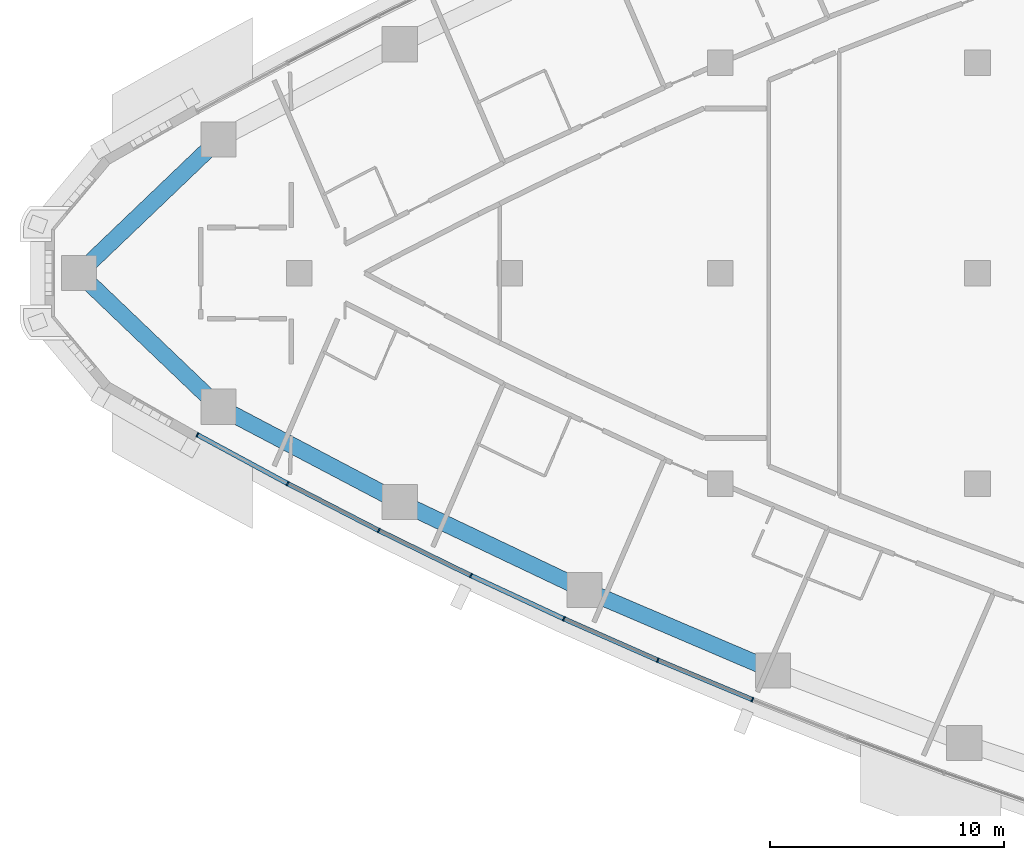
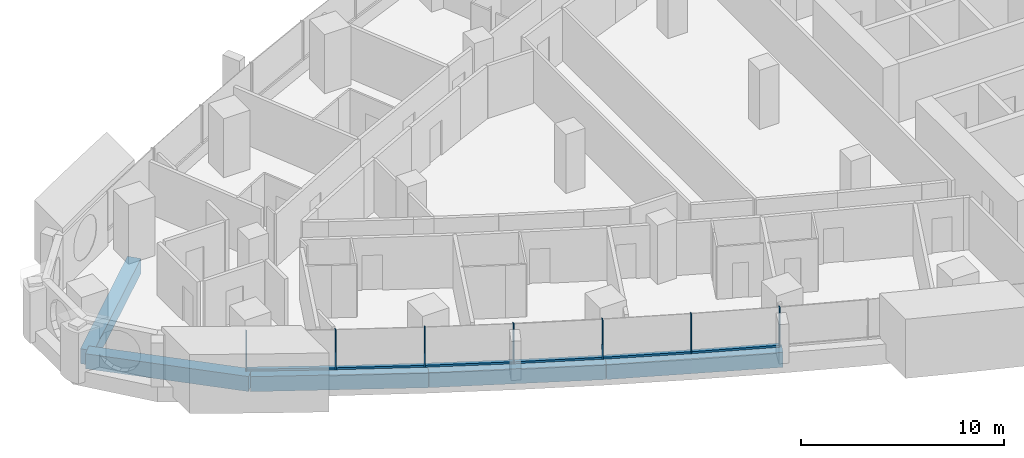
# One storey, part 2 of 17: 13 members, 5 beams, 3 elements without a shape of their own.
"""IFC4 building model written with IfcOpenShell, lengths in metres."""

from ifc_helpers import new_model, si_unit, direction, frame, origin, origin_2d, place, context, subcontext, project, spatial, rectangle, extrude, material, layer, layer_set, material_profile, profile_set, type_object, element, aggregate, save


model = new_model("IFC4")

# Units and contexts
model_context = context("Model", 3, precision=1e-05, world=origin(), true_north=direction((0.0, 1.0)))
body_context = subcontext(model_context, "Body", "Model", "MODEL_VIEW")
ifc_project = project(units=[si_unit("LENGTHUNIT", "METRE"), si_unit("AREAUNIT", "SQUARE_METRE"), si_unit("VOLUMEUNIT", "CUBIC_METRE"), si_unit("PLANEANGLEUNIT", "RADIAN"), si_unit("MASSUNIT", "GRAM", prefix="KILO")], contexts=[model_context])

# Site, building, storey
site_placement = place(None, origin())
site = spatial("IfcSite", under=ifc_project, at=site_placement, CompositionType="ELEMENT")
building_placement = place(site_placement, origin())
building = spatial("IfcBuilding", under=site, at=building_placement, Name="Ostrand Prow Hotel Tower", CompositionType="ELEMENT")
storey_placement = place(building_placement, frame((0.0, 0.0, 162.14990234375)))
storey = spatial("IfcBuildingStorey", under=building, at=storey_placement, Name="L40", CompositionType="ELEMENT", Elevation=162.14990234375)

# Beams
ifc_material_1 = material(Name="Concrete C70/85", Category="concrete")
ifc_material_profile_1 = material_profile(ifc_material_1, rectangle(XDim=0.699951171875, YDim=0.89990234375, at=origin_2d()), Name="RC 700x900")
ifc_profile_set_1 = profile_set([ifc_material_profile_1], Name="Concrete C70/85")
beam_type = type_object("IfcBeamType", Name="Edge beam 700x900 C70/85", PredefinedType="SPANDREL", material=ifc_profile_set_1)
beam_1_placement = place(storey_placement, frame((6.580078125, 0.0, -0.75), z_axis=(0.722689968521, -0.691172344209, 0.0), x_axis=(0.691172344209, 0.722689968521, 0.0)))
element("IfcBeam", 1, at=beam_1_placement, inside=storey, type_object=beam_type, Name="Edge beam P-S1", PredefinedType="SPANDREL", context=body_context, shape_type="SweptSolid", body=[
    extrude(rectangle(XDim=0.699951171875, YDim=0.89990234375, at=origin_2d()), origin(), (0.0, 0.0, 1.0), 8.26513671875),
])
for number, where, z_axis, x_axis, name in (
    (2, (12.55322265625, -5.712646484375, -0.75), (0.885016215308, -0.465560198731, 0.0), (0.465560198731, 0.885016215308, 0.0), "Edge beam S1-S2"),
    (3, (20.300048828125, -9.787841796875, -0.75), (0.903083113352, -0.429465819803, 0.0), (0.429465819803, 0.903083113352, 0.0), "Edge beam S2-S3"),
    (4, (28.205078125, -13.547119140625, -0.75), (0.919700966994, -0.392619575811, 0.0), (0.392619575811, 0.919700966994, 0.0), "Edge beam S3-S4"),
):
    element("IfcBeam", number, at=place(storey_placement, frame(where, z_axis=z_axis, x_axis=x_axis)), inside=storey, type_object=beam_type, Name=name, PredefinedType="SPANDREL", context=body_context, shape_type="SweptSolid", body=[
        extrude(rectangle(XDim=0.699951171875, YDim=0.89990234375, at=origin_2d()), origin(), (0.0, 0.0, 1.0), 8.75341796875),
    ])
beam_2_placement = place(storey_placement, frame((12.55322265625, 5.712646484375, -0.75), z_axis=(-0.722689968521, -0.691172344209, 0.0), x_axis=(0.691172344209, -0.722689968521, 0.0)))
element("IfcBeam", 5, at=beam_2_placement, inside=storey, type_object=beam_type, Name="Edge beam N6-P", PredefinedType="SPANDREL", context=body_context, shape_type="SweptSolid", body=[
    extrude(rectangle(XDim=0.699951171875, YDim=0.89990234375, at=origin_2d()), origin(), (0.0, 0.0, 1.0), 8.26513671875),
])

# Curtain wall, members
ifc_material_2 = material(Name="Insulated glass in bronze anodised frame", Category="glass")
ifc_layer = layer(ifc_material_2, 0.199951171875)
ifc_layer_set = layer_set([ifc_layer], Name="Insulated glass in bronze anodised frame")
curtain_wall_type = type_object("IfcCurtainWallType", Name="Strip curtain wall, fritted glass over bronze spandrel", PredefinedType="NOTDEFINED", material=ifc_layer_set)
curtain_wall_1_placement = place(storey_placement, origin())
curtain_wall_1 = element("IfcCurtainWall", 6, at=curtain_wall_1_placement, inside=storey, type_object=curtain_wall_type, Name="CW1 run CWS1", PredefinedType="NOTDEFINED")
ifc_material_3 = material(Name="Bronze anodised aluminium", Category="aluminium")
ifc_material_profile_2 = material_profile(ifc_material_3, rectangle(XDim=0.199951171875, YDim=0.06005859375, at=origin_2d()), Name="Mullion 60x200 bronze anodised aluminium")
ifc_profile_set_2 = profile_set([ifc_material_profile_2], Name="Bronze anodised aluminium")
member_type_1 = type_object("IfcMemberType", Name="Mullion 60x200 bronze anodised aluminium", PredefinedType="MULLION", material=ifc_profile_set_2)
member_1_placement = place(storey_placement, frame((11.64306640625, -6.909423828125, 0.900146484375), z_axis=(0.0, 0.0, 1.0), x_axis=(0.475393901316, 0.879773060847, 0.0)))
member_1 = element("IfcMember", 7, at=member_1_placement, type_object=member_type_1, Name="CW1 mullion 1", PredefinedType="MULLION", context=body_context, shape_type="SweptSolid", body=[
    extrude(rectangle(XDim=0.199951171875, YDim=0.06005859375, at=origin_2d()), origin(), (0.0, 0.0, 1.0), 2.349853515625),
])
member_2_placement = place(storey_placement, frame((15.501708984375, -8.99462890625, 0.900146484375), z_axis=(0.0, 0.0, 1.0), x_axis=(0.457619429434, 0.889148164146, 0.0)))
member_2 = element("IfcMember", 8, at=member_2_placement, type_object=member_type_1, Name="CW1 mullion 2", PredefinedType="MULLION", context=body_context, shape_type="SweptSolid", body=[
    extrude(rectangle(XDim=0.199951171875, YDim=0.06005859375, at=origin_2d()), origin(), (0.0, 0.0, 1.0), 2.349853515625),
])
member_3_placement = place(storey_placement, frame((19.401611328125, -11.001708984375, 0.900146484375), z_axis=(0.0, 0.0, 1.0), x_axis=(0.457619429434, 0.889148164146, 0.0)))
member_3 = element("IfcMember", 9, at=member_3_placement, type_object=member_type_1, Name="CW1 mullion 3", PredefinedType="MULLION", context=body_context, shape_type="SweptSolid", body=[
    extrude(rectangle(XDim=0.199951171875, YDim=0.06005859375, at=origin_2d()), origin(), (0.0, 0.0, 1.0), 2.349853515625),
])

curtain_wall_2_placement = place(storey_placement, origin())
curtain_wall_2 = element("IfcCurtainWall", 10, at=curtain_wall_2_placement, inside=storey, type_object=curtain_wall_type, Name="CW1 run CWS2", PredefinedType="NOTDEFINED")
member_4_placement = place(storey_placement, frame((23.341064453125, -12.93017578125, 0.900146484375), z_axis=(0.0, 0.0, 1.0), x_axis=(0.421521761673, 0.906818286337, 0.0)))
member_4 = element("IfcMember", 11, at=member_4_placement, type_object=member_type_1, Name="CW1 mullion 2", PredefinedType="MULLION", context=body_context, shape_type="SweptSolid", body=[
    extrude(rectangle(XDim=0.199951171875, YDim=0.06005859375, at=origin_2d()), origin(), (0.0, 0.0, 1.0), 2.349853515625),
])
member_5_placement = place(storey_placement, frame((27.318359375, -14.77880859375, 0.900146484375), z_axis=(0.0, 0.0, 1.0), x_axis=(0.421521761673, 0.906818286337, 0.0)))
member_5 = element("IfcMember", 12, at=member_5_placement, type_object=member_type_1, Name="CW1 mullion 3", PredefinedType="MULLION", context=body_context, shape_type="SweptSolid", body=[
    extrude(rectangle(XDim=0.199951171875, YDim=0.06005859375, at=origin_2d()), origin(), (0.0, 0.0, 1.0), 2.349853515625),
])

curtain_wall_3_placement = place(storey_placement, origin())
curtain_wall_3 = element("IfcCurtainWall", 13, at=curtain_wall_3_placement, inside=storey, type_object=curtain_wall_type, Name="CW1 run CWS3", PredefinedType="NOTDEFINED")
member_6_placement = place(storey_placement, frame((31.332275390625, -16.54736328125, 0.900146484375), z_axis=(0.0, 0.0, 1.0), x_axis=(0.384743220418, 0.92302364777, 0.0)))
member_6 = element("IfcMember", 14, at=member_6_placement, type_object=member_type_1, Name="CW1 mullion 2", PredefinedType="MULLION", context=body_context, shape_type="SweptSolid", body=[
    extrude(rectangle(XDim=0.199951171875, YDim=0.06005859375, at=origin_2d()), origin(), (0.0, 0.0, 1.0), 2.349853515625),
])
member_7_placement = place(storey_placement, frame((35.380615234375, -18.235107421875, 0.900146484375), z_axis=(0.0, 0.0, 1.0), x_axis=(0.384743220418, 0.92302364777, 0.0)))
member_7 = element("IfcMember", 15, at=member_7_placement, type_object=member_type_1, Name="CW1 mullion 3", PredefinedType="MULLION", context=body_context, shape_type="SweptSolid", body=[
    extrude(rectangle(XDim=0.199951171875, YDim=0.06005859375, at=origin_2d()), origin(), (0.0, 0.0, 1.0), 2.349853515625),
])

# Member
ifc_material_4 = material(Name="Bronze anodised aluminium", Category="aluminium")
ifc_material_profile_3 = material_profile(ifc_material_4, rectangle(XDim=0.199951171875, YDim=0.1201171875, at=origin_2d()), Name="Transom 120x200 bronze anodised aluminium")
ifc_profile_set_3 = profile_set([ifc_material_profile_3], Name="Bronze anodised aluminium")
member_type_2 = type_object("IfcMemberType", Name="Transom 120x200 bronze anodised aluminium", PredefinedType="USERDEFINED", material=ifc_profile_set_3)
member_8_placement = place(storey_placement, frame((11.66943359375, -6.923583984375, 0.960205078125), z_axis=(0.879765206929, -0.475408435639, 0.0), x_axis=(0.475408435639, 0.879765206929, 0.0)))
member_8 = element("IfcMember", 16, at=member_8_placement, type_object=member_type_2, Name="CW1 transom 1.1", ObjectType="TRANSOM", PredefinedType="USERDEFINED", context=body_context, shape_type="SweptSolid", body=[
    extrude(rectangle(XDim=0.199951171875, YDim=0.1201171875, at=origin_2d()), origin(), (0.0, 0.0, 1.0), 4.326171875),
])

member_9_placement = place(storey_placement, frame((15.528564453125, -9.00830078125, 0.960205078125), z_axis=(0.88914020052, -0.457634902318, 0.0), x_axis=(0.457634902318, 0.88914020052, 0.0)))
member_9 = element("IfcMember", 17, at=member_9_placement, type_object=member_type_2, Name="CW1 transom 2.1", ObjectType="TRANSOM", PredefinedType="USERDEFINED", context=body_context, shape_type="SweptSolid", body=[
    extrude(rectangle(XDim=0.199951171875, YDim=0.1201171875, at=origin_2d()), origin(), (0.0, 0.0, 1.0), 4.325927734375),
])

aggregate(curtain_wall_1, [member_1, member_2, member_3, member_8, member_9])

member_10_placement = place(storey_placement, frame((19.4287109375, -11.014892578125, 0.960205078125), z_axis=(0.89815413626, -0.439680733623, 0.0), x_axis=(0.439680733623, 0.89815413626, 0.0)))
member_10 = element("IfcMember", 18, at=member_10_placement, type_object=member_type_2, Name="CW1 transom 1.1", ObjectType="TRANSOM", PredefinedType="USERDEFINED", context=body_context, shape_type="SweptSolid", body=[
    extrude(rectangle(XDim=0.199951171875, YDim=0.1201171875, at=origin_2d()), origin(), (0.0, 0.0, 1.0), 4.326171875),
])

member_11_placement = place(storey_placement, frame((23.368408203125, -12.942626953125, 0.960205078125), z_axis=(0.906796377468, -0.421568890944, 0.0), x_axis=(0.421568890944, 0.906796377468, 0.0)))
member_11 = element("IfcMember", 19, at=member_11_placement, type_object=member_type_2, Name="CW1 transom 2.1", ObjectType="TRANSOM", PredefinedType="USERDEFINED", context=body_context, shape_type="SweptSolid", body=[
    extrude(rectangle(XDim=0.199951171875, YDim=0.1201171875, at=origin_2d()), origin(), (0.0, 0.0, 1.0), 4.326171875),
])

aggregate(curtain_wall_2, [member_4, member_5, member_10, member_11])

member_12_placement = place(storey_placement, frame((27.345947265625, -14.791015625, 0.960205078125), z_axis=(0.91509853977, -0.403230284715, 0.0), x_axis=(0.403230284715, 0.91509853977, 0.0)))
member_12 = element("IfcMember", 20, at=member_12_placement, type_object=member_type_2, Name="CW1 transom 1.1", ObjectType="TRANSOM", PredefinedType="USERDEFINED", context=body_context, shape_type="SweptSolid", body=[
    extrude(rectangle(XDim=0.199951171875, YDim=0.1201171875, at=origin_2d()), origin(), (0.0, 0.0, 1.0), 4.325927734375),
])

member_13_placement = place(storey_placement, frame((31.35986328125, -16.55908203125, 0.960205078125), z_axis=(0.923028493412, -0.384731595206, 0.0), x_axis=(0.384731595206, 0.923028493412, 0.0)))
member_13 = element("IfcMember", 21, at=member_13_placement, type_object=member_type_2, Name="CW1 transom 2.1", ObjectType="TRANSOM", PredefinedType="USERDEFINED", context=body_context, shape_type="SweptSolid", body=[
    extrude(rectangle(XDim=0.199951171875, YDim=0.1201171875, at=origin_2d()), origin(), (0.0, 0.0, 1.0), 4.325927734375),
])

aggregate(curtain_wall_3, [member_6, member_7, member_12, member_13])

save(model, "model.ifc")
